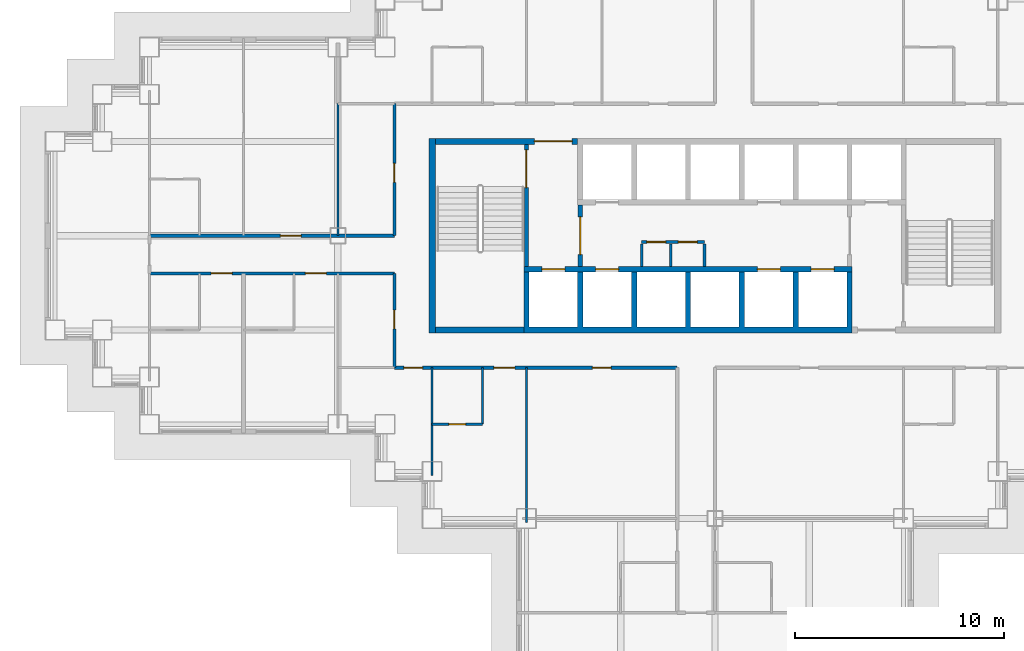
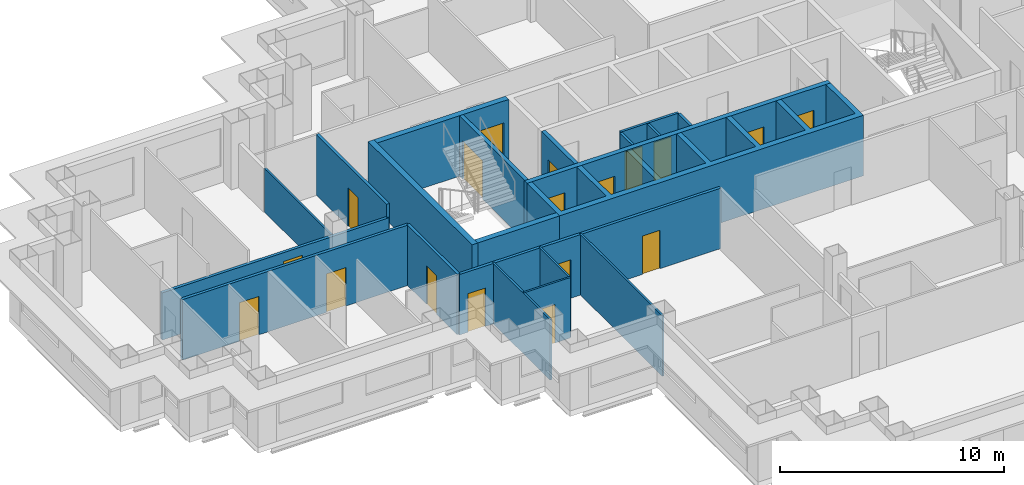
# One storey, part 4 of 15: 21 walls, 18 doors, 18 openings.
"""IFC4 building model written with IfcOpenShell, lengths in metres."""

from ifc_helpers import new_model, si_unit, direction, frame, frame_2d, origin, place, context, subcontext, project, spatial, polyline, rectangle, outline, extrude, material, layer, layer_set, type_object, element, fill, save


model = new_model("IFC4")

# Units and contexts
model_context = context("Model", 3, precision=1e-05, world=origin(), true_north=direction((0.0, 1.0)))
body_context = subcontext(model_context, "Body", "Model", "MODEL_VIEW")
ifc_project = project(units=[si_unit("LENGTHUNIT", "METRE"), si_unit("AREAUNIT", "SQUARE_METRE"), si_unit("VOLUMEUNIT", "CUBIC_METRE"), si_unit("PLANEANGLEUNIT", "RADIAN"), si_unit("MASSUNIT", "GRAM", prefix="KILO")], contexts=[model_context])

# Site, building, storey
site_placement = place(None, origin())
site = spatial("IfcSite", under=ifc_project, at=site_placement, CompositionType="ELEMENT")
building_placement = place(site_placement, origin())
building = spatial("IfcBuilding", under=site, at=building_placement, Name="Caravel Reach Hotel and Residences", CompositionType="ELEMENT")
storey_placement = place(building_placement, frame((0.0, 0.0, 78.0)))
storey = spatial("IfcBuildingStorey", under=building, at=storey_placement, Name="L18", CompositionType="ELEMENT", Elevation=78.0)

# Wall, opening, door
ifc_material_1 = material(Name="Gypsum board on steel stud", Category="steel")
ifc_layer_1 = layer(ifc_material_1, 0.10009765625)
ifc_layer_set_1 = layer_set([ifc_layer_1], Name="Bathroom pod wall 100 mm")
wall_type_1 = type_object("IfcWallType", Name="Bathroom pod wall 100 mm", PredefinedType="PARTITIONING", material=ifc_layer_set_1)
wall_1_placement = place(storey_placement, frame((18.0, 18.0, 0.0), z_axis=(0.0, 0.0, 1.0), x_axis=(1.0, 0.0, 0.0)))
wall_1 = element("IfcWall", 1, at=wall_1_placement, inside=storey, type_object=wall_type_1, Name="L18 wall w084", PredefinedType="PARTITIONING", context=body_context, shape_type="SweptSolid", body=[
    extrude(rectangle(XDim=2.39990234375, YDim=0.10009765625, at=frame_2d((1.199951171875, 0.0))), origin(), (0.0, 0.0, 1.0), 3.300048828125),
])
opening_1_placement = place(wall_1_placement, frame((0.800048828125, 0.0, 0.0)))
opening_1 = element("IfcOpeningElement", 2, at=opening_1_placement, cuts=wall_1, Name="Opening D18-053", PredefinedType="OPENING", context=body_context, shape_type="SweptSolid", body=[
    extrude(rectangle(XDim=0.800048828125, YDim=2.10009765625, at=frame_2d((0.39990234375, 1.050048828125))), frame((0.0, 0.06005859375, 0.0), z_axis=(0.0, -1.0, 0.0), x_axis=(1.0, 0.0, 0.0)), (0.0, 0.0, 1.0), 0.1201171875),
])
ifc_material_2 = material(Name="Timber and steel door leaf", Category="steel")
door_type_1 = type_object("IfcDoorType", Name="Bathroom door 800 x 2100", OperationType="SINGLE_SWING_LEFT", PredefinedType="DOOR", material=ifc_material_2)
door_1_placement = place(opening_1_placement, origin())
door_1 = element("IfcDoor", 3, at=door_1_placement, inside=storey, type_object=door_type_1, Name="door D18-053", OperationType="SINGLE_SWING_RIGHT", OverallHeight=2.10009765625, OverallWidth=0.800048828125, PredefinedType="DOOR", context=body_context, shape_type="SweptSolid", body=[
    extrude(rectangle(XDim=0.800048828125, YDim=2.10009765625, at=frame_2d((0.39990234375, 1.050048828125))), frame((0.0, 0.02490234375, 0.0), z_axis=(0.0, -1.0, 0.0), x_axis=(1.0, 0.0, 0.0)), (0.0, 0.0, 1.0), 0.050048828125),
])
fill(opening_1, door_1)

# Walls
wall_2_placement = place(storey_placement, frame((20.39990234375, 18.0, 0.0), z_axis=(0.0, 0.0, 1.0), x_axis=(0.0, 1.0, 0.0)))
element("IfcWall", 4, at=wall_2_placement, inside=storey, type_object=wall_type_1, Name="L18 wall w103", PredefinedType="PARTITIONING", context=body_context, shape_type="SweptSolid", body=[
    extrude(rectangle(XDim=2.699951171875, YDim=0.10009765625, at=frame_2d((1.35009765625, 0.0))), origin(), (0.0, 0.0, 1.0), 3.300048828125),
])
ifc_material_3 = material(Name="Concrete C60", Category="concrete")
ifc_layer_2 = layer(ifc_material_3, 0.300048828125)
ifc_layer_set_2 = layer_set([ifc_layer_2], Name="Core wall 300 mm EI 120")
wall_type_2 = type_object("IfcWallType", Name="Core wall 300 mm EI 120", PredefinedType="SHEAR", material=ifc_layer_set_2)
wall_3_placement = place(storey_placement, frame((18.14990234375, 22.5, 0.0), z_axis=(0.0, 0.0, 1.0), x_axis=(1.0, 0.0, 0.0)))
element("IfcWall", 5, at=wall_3_placement, inside=storey, type_object=wall_type_2, Name="L18 core wall S1", PredefinedType="SHEAR", context=body_context, shape_type="SweptSolid", body=[
    extrude(rectangle(XDim=4.22509765625, YDim=0.300048828125, at=frame_2d((2.112548828125, 0.0))), origin(), (0.0, 0.0, 1.0), 3.300048828125),
])

# Wall, opening, door
wall_4_placement = place(storey_placement, frame((18.14990234375, 31.5, 0.0), z_axis=(0.0, 0.0, 1.0), x_axis=(1.0, 0.0, 0.0)))
wall_4 = element("IfcWall", 6, at=wall_4_placement, inside=storey, type_object=wall_type_2, Name="L18 core wall N1", PredefinedType="SHEAR", context=body_context, shape_type="SweptSolid", body=[
    extrude(rectangle(XDim=6.796630859375, YDim=0.300048828125, at=frame_2d((3.3984375, 0.0))), origin(), (0.0, 0.0, 1.0), 3.300048828125),
])
opening_2_placement = place(wall_4_placement, frame((4.735595703125, 0.0, 0.0)))
opening_2 = element("IfcOpeningElement", 7, at=opening_2_placement, cuts=wall_4, Name="Opening D18-014", PredefinedType="OPENING", context=body_context, shape_type="SweptSolid", body=[
    extrude(rectangle(XDim=1.800048828125, YDim=2.10009765625, at=frame_2d((0.89990234375, 1.050048828125))), frame((0.0, 0.159912109375, 0.0), z_axis=(0.0, -1.0, 0.0), x_axis=(1.0, 0.0, 0.0)), (0.0, 0.0, 1.0), 0.320068359375),
])
ifc_material_4 = material(Name="Steel fire door leaf", Category="steel")
door_type_2 = type_object("IfcDoorType", Name="Fire lobby door pair 1800 x 2100 EI 90", OperationType="DOUBLE_DOOR_SINGLE_SWING", PredefinedType="DOOR", material=ifc_material_4)
door_2_placement = place(opening_2_placement, origin())
door_2 = element("IfcDoor", 8, at=door_2_placement, inside=storey, type_object=door_type_2, Name="lobby N door pair to corridor", OperationType="DOUBLE_DOOR_SINGLE_SWING", OverallHeight=2.10009765625, OverallWidth=1.800048828125, PredefinedType="DOOR", context=body_context, shape_type="SweptSolid", body=[
    extrude(rectangle(XDim=1.800048828125, YDim=2.10009765625, at=frame_2d((0.89990234375, 1.050048828125))), frame((0.0, 0.02490234375, 0.0), z_axis=(0.0, -1.0, 0.0), x_axis=(1.0, 0.0, 0.0)), (0.0, 0.0, 1.0), 0.050048828125),
])
fill(opening_2, door_2)

# Wall
wall_5_placement = place(storey_placement, frame((18.0, 22.35009765625, 0.0), z_axis=(0.0, 0.0, 1.0), x_axis=(0.0, 1.0, 0.0)))
element("IfcWall", 9, at=wall_5_placement, inside=storey, type_object=wall_type_2, Name="L18 core wall W", PredefinedType="SHEAR", context=body_context, shape_type="SweptSolid", body=[
    extrude(rectangle(XDim=9.2998046875, YDim=0.300048828125, at=frame_2d((4.64990234375, 0.0))), origin(), (0.0, 0.0, 1.0), 3.300048828125),
])

# Wall, openings, doors
ifc_material_5 = material(Name="Gypsum board on steel stud, fire-rated", Category="steel")
ifc_layer_3 = layer(ifc_material_5, 0.14990234375)
ifc_layer_set_3 = layer_set([ifc_layer_3], Name="Corridor wall 150 mm EI 60")
wall_type_3 = type_object("IfcWallType", Name="Corridor wall 150 mm EI 60", PredefinedType="PARTITIONING", material=ifc_layer_set_3)
wall_6_placement = place(storey_placement, frame((16.199951171875, 20.699951171875, 0.0), z_axis=(0.0, 0.0, 1.0), x_axis=(1.0, 0.0, 0.0)))
wall_6 = element("IfcWall", 10, at=wall_6_placement, inside=storey, type_object=wall_type_3, Name="L18 wall w005", PredefinedType="PARTITIONING", context=body_context, shape_type="SweptSolid", body=[
    extrude(rectangle(XDim=13.5, YDim=0.14990234375, at=frame_2d((6.75, 0.0))), origin(), (0.0, 0.0, 1.0), 3.300048828125),
])
opening_3_placement = place(wall_6_placement, frame((4.75, 0.0, 0.0)))
opening_3 = element("IfcOpeningElement", 11, at=opening_3_placement, cuts=wall_6, Name="Opening D18-052", PredefinedType="OPENING", context=body_context, shape_type="SweptSolid", body=[
    extrude(rectangle(XDim=1.0, YDim=2.10009765625, at=frame_2d((0.5, 1.050048828125))), frame((0.0, 0.0849609375, 0.0), z_axis=(0.0, -1.0, 0.0), x_axis=(1.0, 0.0, 0.0)), (0.0, 0.0, 1.0), 0.169921875),
])
opening_4_placement = place(wall_6_placement, frame((0.449951171875, 0.0, 0.0)))
opening_4 = element("IfcOpeningElement", 12, at=opening_4_placement, cuts=wall_6, Name="Opening D18-054", PredefinedType="OPENING", context=body_context, shape_type="SweptSolid", body=[
    extrude(rectangle(XDim=0.89990234375, YDim=2.10009765625, at=frame_2d((0.449951171875, 1.050048828125))), frame((0.0, 0.0849609375, 0.0), z_axis=(0.0, -1.0, 0.0), x_axis=(1.0, 0.0, 0.0)), (0.0, 0.0, 1.0), 0.169921875),
])
opening_5_placement = place(wall_6_placement, frame((9.449951171875, 0.0, 0.0)))
opening_5 = element("IfcOpeningElement", 13, at=opening_5_placement, cuts=wall_6, Name="Opening D18-061", PredefinedType="OPENING", context=body_context, shape_type="SweptSolid", body=[
    extrude(rectangle(XDim=0.89990234375, YDim=2.10009765625, at=frame_2d((0.449951171875, 1.050048828125))), frame((0.0, 0.0849609375, 0.0), z_axis=(0.0, -1.0, 0.0), x_axis=(1.0, 0.0, 0.0)), (0.0, 0.0, 1.0), 0.169921875),
])
ifc_material_6 = material(Name="Timber and steel door leaf", Category="steel")
door_type_3 = type_object("IfcDoorType", Name="Door 900 x 2100 timber", OperationType="SINGLE_SWING_LEFT", PredefinedType="DOOR", material=ifc_material_6)
door_3_placement = place(opening_4_placement, origin())
door_3 = element("IfcDoor", 14, at=door_3_placement, inside=storey, type_object=door_type_3, Name="door D18-054", OperationType="SINGLE_SWING_LEFT", OverallHeight=2.10009765625, OverallWidth=0.89990234375, PredefinedType="DOOR", context=body_context, shape_type="SweptSolid", body=[
    extrude(rectangle(XDim=0.89990234375, YDim=2.10009765625, at=frame_2d((0.449951171875, 1.050048828125))), frame((0.0, 0.02490234375, 0.0), z_axis=(0.0, -1.0, 0.0), x_axis=(1.0, 0.0, 0.0)), (0.0, 0.0, 1.0), 0.050048828125),
])
fill(opening_4, door_3)
door_4_placement = place(opening_5_placement, origin())
door_4 = element("IfcDoor", 15, at=door_4_placement, inside=storey, type_object=door_type_3, Name="door D18-061", OperationType="SINGLE_SWING_RIGHT", OverallHeight=2.10009765625, OverallWidth=0.89990234375, PredefinedType="DOOR", context=body_context, shape_type="SweptSolid", body=[
    extrude(rectangle(XDim=0.89990234375, YDim=2.10009765625, at=frame_2d((0.449951171875, 1.050048828125))), frame((0.0, 0.02490234375, 0.0), z_axis=(0.0, -1.0, 0.0), x_axis=(1.0, 0.0, 0.0)), (0.0, 0.0, 1.0), 0.050048828125),
])
fill(opening_5, door_4)
ifc_material_7 = material(Name="Steel fire door leaf", Category="steel")
door_type_4 = type_object("IfcDoorType", Name="Guest room door 1000 x 2100 EI 30", OperationType="SINGLE_SWING_LEFT", PredefinedType="DOOR", material=ifc_material_7)
door_5_placement = place(opening_3_placement, origin())
door_5 = element("IfcDoor", 16, at=door_5_placement, inside=storey, type_object=door_type_4, Name="door D18-052", OperationType="SINGLE_SWING_RIGHT", OverallHeight=2.10009765625, OverallWidth=1.0, PredefinedType="DOOR", context=body_context, shape_type="SweptSolid", body=[
    extrude(rectangle(XDim=1.0, YDim=2.10009765625, at=frame_2d((0.5, 1.050048828125))), frame((0.0, 0.02490234375, 0.0), z_axis=(0.0, -1.0, 0.0), x_axis=(1.0, 0.0, 0.0)), (0.0, 0.0, 1.0), 0.050048828125),
])
fill(opening_3, door_5)

wall_7_placement = place(storey_placement, frame((4.5, 25.199951171875, 0.0), z_axis=(0.0, 0.0, 1.0), x_axis=(1.0, 0.0, 0.0)))
wall_7 = element("IfcWall", 17, at=wall_7_placement, inside=storey, type_object=wall_type_3, Name="L18 wall w008", PredefinedType="PARTITIONING", context=body_context, shape_type="SweptSolid", body=[
    extrude(rectangle(XDim=11.699951171875, YDim=0.14990234375, at=frame_2d((5.85009765625, 0.0))), origin(), (0.0, 0.0, 1.0), 3.300048828125),
])
opening_6_placement = place(wall_7_placement, frame((7.449951171875, 0.0, 0.0)))
opening_6 = element("IfcOpeningElement", 18, at=opening_6_placement, cuts=wall_7, Name="Opening D18-016", PredefinedType="OPENING", context=body_context, shape_type="SweptSolid", body=[
    extrude(rectangle(XDim=1.0, YDim=2.10009765625, at=frame_2d((0.5, 1.050048828125))), frame((0.0, 0.0849609375, 0.0), z_axis=(0.0, -1.0, 0.0), x_axis=(1.0, 0.0, 0.0)), (0.0, 0.0, 1.0), 0.169921875),
])
opening_7_placement = place(wall_7_placement, frame((2.949951171875, 0.0, 0.0)))
opening_7 = element("IfcOpeningElement", 19, at=opening_7_placement, cuts=wall_7, Name="Opening D18-018", PredefinedType="OPENING", context=body_context, shape_type="SweptSolid", body=[
    extrude(rectangle(XDim=1.0, YDim=2.10009765625, at=frame_2d((0.5, 1.050048828125))), frame((0.0, 0.0849609375, 0.0), z_axis=(0.0, -1.0, 0.0), x_axis=(1.0, 0.0, 0.0)), (0.0, 0.0, 1.0), 0.169921875),
])
door_6_placement = place(opening_6_placement, origin())
door_6 = element("IfcDoor", 20, at=door_6_placement, inside=storey, type_object=door_type_4, Name="door D18-016", OperationType="SINGLE_SWING_RIGHT", OverallHeight=2.10009765625, OverallWidth=1.0, PredefinedType="DOOR", context=body_context, shape_type="SweptSolid", body=[
    extrude(rectangle(XDim=1.0, YDim=2.10009765625, at=frame_2d((0.5, 1.050048828125))), frame((0.0, 0.02490234375, 0.0), z_axis=(0.0, -1.0, 0.0), x_axis=(1.0, 0.0, 0.0)), (0.0, 0.0, 1.0), 0.050048828125),
])
fill(opening_6, door_6)
door_7_placement = place(opening_7_placement, origin())
door_7 = element("IfcDoor", 21, at=door_7_placement, inside=storey, type_object=door_type_4, Name="door D18-018", OperationType="SINGLE_SWING_RIGHT", OverallHeight=2.10009765625, OverallWidth=1.0, PredefinedType="DOOR", context=body_context, shape_type="SweptSolid", body=[
    extrude(rectangle(XDim=1.0, YDim=2.10009765625, at=frame_2d((0.5, 1.050048828125))), frame((0.0, 0.02490234375, 0.0), z_axis=(0.0, -1.0, 0.0), x_axis=(1.0, 0.0, 0.0)), (0.0, 0.0, 1.0), 0.050048828125),
])
fill(opening_7, door_7)

# Wall, opening, door
wall_8_placement = place(storey_placement, frame((4.5, 27.0, 0.0), z_axis=(0.0, 0.0, 1.0), x_axis=(1.0, 0.0, 0.0)))
wall_8 = element("IfcWall", 22, at=wall_8_placement, inside=storey, type_object=wall_type_3, Name="L18 wall w014", PredefinedType="PARTITIONING", context=body_context, shape_type="SweptSolid", body=[
    extrude(rectangle(XDim=11.699951171875, YDim=0.14990234375, at=frame_2d((5.85009765625, 0.0))), origin(), (0.0, 0.0, 1.0), 2.580078125),
])
opening_8_placement = place(wall_8_placement, frame((6.25, 0.0, 0.0)))
opening_8 = element("IfcOpeningElement", 23, at=opening_8_placement, cuts=wall_8, Name="Opening D18-020", PredefinedType="OPENING", context=body_context, shape_type="SweptSolid", body=[
    extrude(rectangle(XDim=1.0, YDim=2.10009765625, at=frame_2d((0.5, 1.050048828125))), frame((0.0, 0.0849609375, 0.0), z_axis=(0.0, -1.0, 0.0), x_axis=(1.0, 0.0, 0.0)), (0.0, 0.0, 1.0), 0.169921875),
])
door_8_placement = place(opening_8_placement, origin())
door_8 = element("IfcDoor", 24, at=door_8_placement, inside=storey, type_object=door_type_4, Name="door D18-020", OperationType="SINGLE_SWING_LEFT", OverallHeight=2.10009765625, OverallWidth=1.0, PredefinedType="DOOR", context=body_context, shape_type="SweptSolid", body=[
    extrude(rectangle(XDim=1.0, YDim=2.10009765625, at=frame_2d((0.5, 1.050048828125))), frame((0.0, 0.02490234375, 0.0), z_axis=(0.0, -1.0, 0.0), x_axis=(1.0, 0.0, 0.0)), (0.0, 0.0, 1.0), 0.050048828125),
])
fill(opening_8, door_8)

wall_9_placement = place(storey_placement, frame((16.199951171875, 27.0, 0.0), z_axis=(0.0, 0.0, 1.0), x_axis=(0.0, 1.0, 0.0)))
wall_9 = element("IfcWall", 25, at=wall_9_placement, inside=storey, type_object=wall_type_3, Name="L18 wall w027", PredefinedType="PARTITIONING", context=body_context, shape_type="SweptSolid", body=[
    extrude(rectangle(XDim=6.300048828125, YDim=0.14990234375, at=frame_2d((3.14990234375, 0.0))), origin(), (0.0, 0.0, 1.0), 3.300048828125),
])
opening_9_placement = place(wall_9_placement, frame((2.550048828125, 0.0, 0.0)))
opening_9 = element("IfcOpeningElement", 26, at=opening_9_placement, cuts=wall_9, Name="Opening D18-064", PredefinedType="OPENING", context=body_context, shape_type="SweptSolid", body=[
    extrude(rectangle(XDim=0.89990234375, YDim=2.10009765625, at=frame_2d((0.449951171875, 1.050048828125))), frame((0.0, 0.0849609375, 0.0), z_axis=(0.0, -1.0, 0.0), x_axis=(1.0, 0.0, 0.0)), (0.0, 0.0, 1.0), 0.169921875),
])
door_9_placement = place(opening_9_placement, origin())
door_9 = element("IfcDoor", 27, at=door_9_placement, inside=storey, type_object=door_type_3, Name="door D18-064", OperationType="SINGLE_SWING_LEFT", OverallHeight=2.10009765625, OverallWidth=0.89990234375, PredefinedType="DOOR", context=body_context, shape_type="SweptSolid", body=[
    extrude(rectangle(XDim=0.89990234375, YDim=2.10009765625, at=frame_2d((0.449951171875, 1.050048828125))), frame((0.0, 0.02490234375, 0.0), z_axis=(0.0, -1.0, 0.0), x_axis=(1.0, 0.0, 0.0)), (0.0, 0.0, 1.0), 0.050048828125),
])
fill(opening_9, door_9)

wall_10_placement = place(storey_placement, frame((16.199951171875, 20.699951171875, 0.0), z_axis=(0.0, 0.0, 1.0), x_axis=(0.0, 1.0, 0.0)))
wall_10 = element("IfcWall", 28, at=wall_10_placement, inside=storey, type_object=wall_type_3, Name="L18 wall w028", PredefinedType="PARTITIONING", context=body_context, shape_type="SweptSolid", body=[
    extrude(rectangle(XDim=4.5, YDim=0.14990234375, at=frame_2d((2.25, 0.0))), origin(), (0.0, 0.0, 1.0), 3.300048828125),
])
opening_10_placement = place(wall_10_placement, frame((1.85009765625, 0.0, 0.0)))
opening_10 = element("IfcOpeningElement", 29, at=opening_10_placement, cuts=wall_10, Name="Opening D18-063", PredefinedType="OPENING", context=body_context, shape_type="SweptSolid", body=[
    extrude(rectangle(XDim=0.89990234375, YDim=2.10009765625, at=frame_2d((0.449951171875, 1.050048828125))), frame((0.0, 0.0849609375, 0.0), z_axis=(0.0, -1.0, 0.0), x_axis=(1.0, 0.0, 0.0)), (0.0, 0.0, 1.0), 0.169921875),
])
door_10_placement = place(opening_10_placement, origin())
door_10 = element("IfcDoor", 30, at=door_10_placement, inside=storey, type_object=door_type_3, Name="door D18-063", OperationType="SINGLE_SWING_LEFT", OverallHeight=2.10009765625, OverallWidth=0.89990234375, PredefinedType="DOOR", context=body_context, shape_type="SweptSolid", body=[
    extrude(rectangle(XDim=0.89990234375, YDim=2.10009765625, at=frame_2d((0.449951171875, 1.050048828125))), frame((0.0, 0.02490234375, 0.0), z_axis=(0.0, -1.0, 0.0), x_axis=(1.0, 0.0, 0.0)), (0.0, 0.0, 1.0), 0.050048828125),
])
fill(opening_10, door_10)

ifc_material_8 = material(Name="Autoclaved aerated block wall")
ifc_layer_4 = layer(ifc_material_8, 0.199951171875)
ifc_layer_set_4 = layer_set([ifc_layer_4], Name="Fire lobby wall 200 mm EI 120")
wall_type_4 = type_object("IfcWallType", Name="Fire lobby wall 200 mm EI 120", PredefinedType="PARTITIONING", material=ifc_layer_set_4)
wall_11_placement = place(storey_placement, frame((25.071533203125, 25.52490234375, 0.0), z_axis=(0.0, 0.0, 1.0), x_axis=(0.0, 1.0, 0.0)))
wall_11 = element("IfcWall", 31, at=wall_11_placement, inside=storey, type_object=wall_type_4, Name="L18 lobby W wall", PredefinedType="PARTITIONING", context=body_context, shape_type="SweptSolid", body=[
    extrude(rectangle(XDim=2.9501953125, YDim=0.199951171875, at=frame_2d((1.47509765625, 0.0))), origin(), (0.0, 0.0, 1.0), 3.300048828125),
])
opening_11_placement = place(wall_11_placement, frame((0.574951171875, 0.0, 0.0)))
opening_11 = element("IfcOpeningElement", 32, at=opening_11_placement, cuts=wall_11, Name="Opening D18-012", PredefinedType="OPENING", context=body_context, shape_type="SweptSolid", body=[
    extrude(rectangle(XDim=1.800048828125, YDim=2.10009765625, at=frame_2d((0.89990234375, 1.050048828125))), frame((0.0, 0.10986328125, 0.0), z_axis=(0.0, -1.0, 0.0), x_axis=(1.0, 0.0, 0.0)), (0.0, 0.0, 1.0), 0.219970703125),
])
door_11_placement = place(opening_11_placement, origin())
door_11 = element("IfcDoor", 33, at=door_11_placement, inside=storey, type_object=door_type_2, Name="lobby W door pair", OperationType="DOUBLE_DOOR_SINGLE_SWING", OverallHeight=2.10009765625, OverallWidth=1.800048828125, PredefinedType="DOOR", context=body_context, shape_type="SweptSolid", body=[
    extrude(rectangle(XDim=1.800048828125, YDim=2.10009765625, at=frame_2d((0.89990234375, 1.050048828125))), frame((0.0, 0.02490234375, 0.0), z_axis=(0.0, -1.0, 0.0), x_axis=(1.0, 0.0, 0.0)), (0.0, 0.0, 1.0), 0.050048828125),
])
fill(opening_11, door_11)

# Walls
ifc_material_9 = material(Name="Gypsum board on steel stud", Category="steel")
ifc_layer_5 = layer(ifc_material_9, 0.10009765625)
ifc_layer_set_5 = layer_set([ifc_layer_5], Name="Partition 100 mm")
wall_type_5 = type_object("IfcWallType", Name="Partition 100 mm", PredefinedType="PARTITIONING", material=ifc_layer_set_5)
wall_12_placement = place(storey_placement, frame((13.5, 27.0, 0.0), z_axis=(0.0, 0.0, 1.0), x_axis=(0.0, 1.0, 0.0)))
element("IfcWall", 34, at=wall_12_placement, inside=storey, type_object=wall_type_5, Name="L18 wall w059", PredefinedType="PARTITIONING", context=body_context, shape_type="SweptSolid", body=[
    extrude(rectangle(XDim=6.300048828125, YDim=0.10009765625, at=frame_2d((3.14990234375, 0.0))), origin(), (0.0, 0.0, 1.0), 2.3798828125),
])
wall_13_placement = place(storey_placement, frame((18.0, 15.56005859375, 0.0), z_axis=(0.0, 0.0, 1.0), x_axis=(0.0, 1.0, 0.0)))
element("IfcWall", 35, at=wall_13_placement, inside=storey, type_object=wall_type_5, Name="L18 wall w060", PredefinedType="PARTITIONING", context=body_context, shape_type="SweptSolid", body=[
    extrude(rectangle(XDim=5.139892578125, YDim=0.10009765625, at=frame_2d((2.56982421875, 0.0))), origin(), (0.0, 0.0, 1.0), 3.300048828125),
])
wall_14_placement = place(storey_placement, frame((22.5, 13.31005859375, 0.0), z_axis=(0.0, 0.0, 1.0), x_axis=(0.0, 1.0, 0.0)))
element("IfcWall", 36, at=wall_14_placement, inside=storey, type_object=wall_type_5, Name="L18 wall w062", PredefinedType="PARTITIONING", context=body_context, shape_type="SweptSolid", body=[
    extrude(rectangle(XDim=7.389892578125, YDim=0.10009765625, at=frame_2d((3.69482421875, 0.0))), origin(), (0.0, 0.0, 1.0), 3.300048828125),
])

# Wall, openings, doors
ifc_material_10 = material(Name="Autoclaved aerated block wall")
ifc_layer_6 = layer(ifc_material_10, 0.125)
ifc_layer_set_6 = layer_set([ifc_layer_6], Name="Riser wall 125 mm EI 60")
wall_type_6 = type_object("IfcWallType", Name="Riser wall 125 mm EI 60", PredefinedType="PARTITIONING", material=ifc_layer_set_6)
wall_15_placement = place(storey_placement, frame((28.0, 26.699951171875, 0.0), z_axis=(0.0, 0.0, 1.0), x_axis=(1.0, 0.0, 0.0)))
wall_15 = element("IfcWall", 37, at=wall_15_placement, inside=storey, type_object=wall_type_6, Name="L18 service room wall S1", PredefinedType="PARTITIONING", context=body_context, shape_type="SweptSolid", body=[
    extrude(rectangle(XDim=3.0, YDim=0.125, at=frame_2d((1.5, 0.0))), origin(), (0.0, 0.0, 1.0), 3.300048828125),
])
opening_12_placement = place(wall_15_placement, frame((0.25, 0.0, 0.0)))
opening_12 = element("IfcOpeningElement", 38, at=opening_12_placement, cuts=wall_15, Name="Opening D18-008", PredefinedType="OPENING", context=body_context, shape_type="SweptSolid", body=[
    extrude(rectangle(XDim=0.89990234375, YDim=2.10009765625, at=frame_2d((0.449951171875, 1.050048828125))), frame((0.0, 0.072509765625, 0.0), z_axis=(0.0, -1.0, 0.0), x_axis=(1.0, 0.0, 0.0)), (0.0, 0.0, 1.0), 0.14501953125),
])
opening_13_placement = place(wall_15_placement, frame((1.75, 0.0, 0.0)))
opening_13 = element("IfcOpeningElement", 39, at=opening_13_placement, cuts=wall_15, Name="Opening D18-009", PredefinedType="OPENING", context=body_context, shape_type="SweptSolid", body=[
    extrude(rectangle(XDim=0.89990234375, YDim=2.10009765625, at=frame_2d((0.449951171875, 1.050048828125))), frame((0.0, 0.072509765625, 0.0), z_axis=(0.0, -1.0, 0.0), x_axis=(1.0, 0.0, 0.0)), (0.0, 0.0, 1.0), 0.14501953125),
])
ifc_material_11 = material(Name="Steel fire door leaf", Category="steel")
door_type_5 = type_object("IfcDoorType", Name="Riser door 900 x 2100 EI 60", OperationType="SINGLE_SWING_LEFT", PredefinedType="DOOR", material=ifc_material_11)
door_12_placement = place(opening_12_placement, origin())
door_12 = element("IfcDoor", 40, at=door_12_placement, inside=storey, type_object=door_type_5, Name="Cleaners' room door", OperationType="SINGLE_SWING_LEFT", OverallHeight=2.10009765625, OverallWidth=0.89990234375, PredefinedType="DOOR", context=body_context, shape_type="SweptSolid", body=[
    extrude(rectangle(XDim=0.89990234375, YDim=2.10009765625, at=frame_2d((0.449951171875, 1.050048828125))), frame((0.0, 0.02490234375, 0.0), z_axis=(0.0, -1.0, 0.0), x_axis=(1.0, 0.0, 0.0)), (0.0, 0.0, 1.0), 0.050048828125),
])
fill(opening_12, door_12)
door_13_placement = place(opening_13_placement, origin())
door_13 = element("IfcDoor", 41, at=door_13_placement, inside=storey, type_object=door_type_5, Name="Linen store door", OperationType="SINGLE_SWING_LEFT", OverallHeight=2.10009765625, OverallWidth=0.89990234375, PredefinedType="DOOR", context=body_context, shape_type="SweptSolid", body=[
    extrude(rectangle(XDim=0.89990234375, YDim=2.10009765625, at=frame_2d((0.449951171875, 1.050048828125))), frame((0.0, 0.02490234375, 0.0), z_axis=(0.0, -1.0, 0.0), x_axis=(1.0, 0.0, 0.0)), (0.0, 0.0, 1.0), 0.050048828125),
])
fill(opening_13, door_13)

# Walls
for number, where, z_axis, x_axis, name in (
    (42, (28.0, 25.52490234375, 0.0), (0.0, 0.0, 1.0), (0.0, 1.0, 0.0), "L18 service room partition S1"),
    (43, (29.39990234375, 25.52490234375, 0.0), (0.0, 0.0, 1.0), (0.0, 1.0, 0.0), "L18 service room partition S1"),
    (44, (31.0, 25.52490234375, 0.0), (0.0, 0.0, 1.0), (0.0, 1.0, 0.0), "L18 service room partition S1"),
):
    element("IfcWall", number, at=place(storey_placement, frame(where, z_axis=z_axis, x_axis=x_axis)), inside=storey, type_object=wall_type_6, Name=name, PredefinedType="PARTITIONING", context=body_context, shape_type="SweptSolid", body=[
        extrude(rectangle(XDim=1.0751953125, YDim=0.125, at=frame_2d((0.53759765625, 0.0))), origin(), (0.0, 0.0, 1.0), 3.300048828125),
    ])
ifc_material_12 = material(Name="Concrete C60", Category="concrete")
ifc_layer_7 = layer(ifc_material_12, 0.25)
ifc_layer_set_7 = layer_set([ifc_layer_7], Name="Shaft wall 250 mm EI 120")
wall_type_7 = type_object("IfcWallType", Name="Shaft wall 250 mm EI 120", PredefinedType="SHEAR", material=ifc_layer_set_7)
wall_16_placement = place(storey_placement, origin())
element("IfcWall", 45, at=wall_16_placement, inside=storey, type_object=wall_type_7, Name="L18 lift shaft wall S1", PredefinedType="SHEAR", context=body_context, shape_type="SweptSolid", body=[
    extrude(outline(polyline([(22.375, 22.35009765625), (38.053466796875, 22.35009765625), (38.053466796875, 25.27490234375), (37.803466796875, 25.27490234375), (37.803466796875, 22.64990234375), (35.482177734375, 22.64990234375), (35.482177734375, 25.27490234375), (35.232177734375, 25.27490234375), (35.232177734375, 22.64990234375), (32.91064453125, 22.64990234375), (32.91064453125, 25.27490234375), (32.66064453125, 25.27490234375), (32.66064453125, 22.64990234375), (30.33935546875, 22.64990234375), (30.33935546875, 25.27490234375), (30.08935546875, 25.27490234375), (30.08935546875, 22.64990234375), (27.767822265625, 22.64990234375), (27.767822265625, 25.27490234375), (27.517822265625, 25.27490234375), (27.517822265625, 22.64990234375), (25.196533203125, 22.64990234375), (25.196533203125, 25.27490234375), (24.946533203125, 25.27490234375), (24.946533203125, 22.64990234375), (22.625, 22.64990234375), (22.625, 25.27490234375), (22.375, 25.27490234375), (22.375, 22.35009765625)])), origin(), (0.0, 0.0, 1.0), 3.300048828125),
])

# Wall, openings, doors
wall_17_placement = place(storey_placement, frame((22.375, 25.39990234375, 0.0), z_axis=(0.0, 0.0, 1.0), x_axis=(1.0, 0.0, 0.0)))
wall_17 = element("IfcWall", 46, at=wall_17_placement, inside=storey, type_object=wall_type_7, Name="L18 lobby wall S1", PredefinedType="SHEAR", context=body_context, shape_type="SweptSolid", body=[
    extrude(rectangle(XDim=15.678466796875, YDim=0.25, at=frame_2d((7.83935546875, 0.0))), origin(), (0.0, 0.0, 1.0), 3.300048828125),
])
opening_14_placement = place(wall_17_placement, frame((3.43212890625, 0.0, 0.0)))
opening_14 = element("IfcOpeningElement", 47, at=opening_14_placement, cuts=wall_17, Name="Opening D18-001", PredefinedType="OPENING", context=body_context, shape_type="SweptSolid", body=[
    extrude(rectangle(XDim=1.10009765625, YDim=2.10009765625, at=frame_2d((0.550048828125, 1.050048828125))), frame((0.0, 0.135009765625, 0.0), z_axis=(0.0, -1.0, 0.0), x_axis=(1.0, 0.0, 0.0)), (0.0, 0.0, 1.0), 0.27001953125),
])
opening_15_placement = place(wall_17_placement, frame((11.146484375, 0.0, 0.0)))
opening_15 = element("IfcOpeningElement", 48, at=opening_15_placement, cuts=wall_17, Name="Opening D18-002", PredefinedType="OPENING", context=body_context, shape_type="SweptSolid", body=[
    extrude(rectangle(XDim=1.10009765625, YDim=2.10009765625, at=frame_2d((0.550048828125, 1.050048828125))), frame((0.0, 0.135009765625, 0.0), z_axis=(0.0, -1.0, 0.0), x_axis=(1.0, 0.0, 0.0)), (0.0, 0.0, 1.0), 0.27001953125),
])
opening_16_placement = place(wall_17_placement, frame((13.718017578125, 0.0, 0.0)))
opening_16 = element("IfcOpeningElement", 49, at=opening_16_placement, cuts=wall_17, Name="Opening D18-003", PredefinedType="OPENING", context=body_context, shape_type="SweptSolid", body=[
    extrude(rectangle(XDim=1.10009765625, YDim=2.10009765625, at=frame_2d((0.550048828125, 1.050048828125))), frame((0.0, 0.135009765625, 0.0), z_axis=(0.0, -1.0, 0.0), x_axis=(1.0, 0.0, 0.0)), (0.0, 0.0, 1.0), 0.27001953125),
])
opening_17_placement = place(wall_17_placement, frame((0.860595703125, 0.0, 0.0)))
opening_17 = element("IfcOpeningElement", 50, at=opening_17_placement, cuts=wall_17, Name="Opening D18-006", PredefinedType="OPENING", context=body_context, shape_type="SweptSolid", body=[
    extrude(rectangle(XDim=1.10009765625, YDim=2.10009765625, at=frame_2d((0.550048828125, 1.050048828125))), frame((0.0, 0.135009765625, 0.0), z_axis=(0.0, -1.0, 0.0), x_axis=(1.0, 0.0, 0.0)), (0.0, 0.0, 1.0), 0.27001953125),
])
ifc_material_13 = material(Name="Stainless steel landing door", Category="steel")
door_type_6 = type_object("IfcDoorType", Name="Landing door LD 1100 x 2100 sliding", OperationType="DOUBLE_DOOR_SLIDING", PredefinedType="DOOR", material=ifc_material_13)
door_14_placement = place(opening_14_placement, origin())
door_14 = element("IfcDoor", 51, at=door_14_placement, inside=storey, type_object=door_type_6, Name="LP1 landing door", OperationType="DOUBLE_DOOR_SLIDING", OverallHeight=2.10009765625, OverallWidth=1.10009765625, PredefinedType="DOOR", context=body_context, shape_type="SweptSolid", body=[
    extrude(rectangle(XDim=1.10009765625, YDim=2.10009765625, at=frame_2d((0.550048828125, 1.050048828125))), frame((0.0, 0.02490234375, 0.0), z_axis=(0.0, -1.0, 0.0), x_axis=(1.0, 0.0, 0.0)), (0.0, 0.0, 1.0), 0.050048828125),
])
fill(opening_14, door_14)
door_15_placement = place(opening_15_placement, origin())
door_15 = element("IfcDoor", 52, at=door_15_placement, inside=storey, type_object=door_type_6, Name="LP2 landing door", OperationType="DOUBLE_DOOR_SLIDING", OverallHeight=2.10009765625, OverallWidth=1.10009765625, PredefinedType="DOOR", context=body_context, shape_type="SweptSolid", body=[
    extrude(rectangle(XDim=1.10009765625, YDim=2.10009765625, at=frame_2d((0.550048828125, 1.050048828125))), frame((0.0, 0.02490234375, 0.0), z_axis=(0.0, -1.0, 0.0), x_axis=(1.0, 0.0, 0.0)), (0.0, 0.0, 1.0), 0.050048828125),
])
fill(opening_15, door_15)
door_16_placement = place(opening_16_placement, origin())
door_16 = element("IfcDoor", 53, at=door_16_placement, inside=storey, type_object=door_type_6, Name="LP3 landing door", OperationType="DOUBLE_DOOR_SLIDING", OverallHeight=2.10009765625, OverallWidth=1.10009765625, PredefinedType="DOOR", context=body_context, shape_type="SweptSolid", body=[
    extrude(rectangle(XDim=1.10009765625, YDim=2.10009765625, at=frame_2d((0.550048828125, 1.050048828125))), frame((0.0, 0.02490234375, 0.0), z_axis=(0.0, -1.0, 0.0), x_axis=(1.0, 0.0, 0.0)), (0.0, 0.0, 1.0), 0.050048828125),
])
fill(opening_16, door_16)
door_17_placement = place(opening_17_placement, origin())
door_17 = element("IfcDoor", 54, at=door_17_placement, inside=storey, type_object=door_type_6, Name="FL1 landing door", OperationType="DOUBLE_DOOR_SLIDING", OverallHeight=2.10009765625, OverallWidth=1.10009765625, PredefinedType="DOOR", context=body_context, shape_type="SweptSolid", body=[
    extrude(rectangle(XDim=1.10009765625, YDim=2.10009765625, at=frame_2d((0.550048828125, 1.050048828125))), frame((0.0, 0.02490234375, 0.0), z_axis=(0.0, -1.0, 0.0), x_axis=(1.0, 0.0, 0.0)), (0.0, 0.0, 1.0), 0.050048828125),
])
fill(opening_17, door_17)

# Wall, opening, door
ifc_material_14 = material(Name="Concrete C60", Category="concrete")
ifc_layer_8 = layer(ifc_material_14, 0.199951171875)
ifc_layer_set_8 = layer_set([ifc_layer_8], Name="Stair enclosure wall 200 mm EI 120")
wall_type_8 = type_object("IfcWallType", Name="Stair enclosure wall 200 mm EI 120", PredefinedType="SHEAR", material=ifc_layer_set_8)
wall_18_placement = place(storey_placement, frame((22.5, 31.35009765625, 0.0), z_axis=(0.0, 0.0, 1.0), x_axis=(0.0, -1.0, 0.0)))
wall_18 = element("IfcWall", 55, at=wall_18_placement, inside=storey, type_object=wall_type_8, Name="L18 stair A wall", PredefinedType="SHEAR", context=body_context, shape_type="SweptSolid", body=[
    extrude(rectangle(XDim=5.8251953125, YDim=0.199951171875, at=frame_2d((2.91259765625, 0.0))), origin(), (0.0, 0.0, 1.0), 3.300048828125),
])
opening_18_placement = place(wall_18_placement, frame((0.25, 0.0, 0.0)))
opening_18 = element("IfcOpeningElement", 56, at=opening_18_placement, cuts=wall_18, Name="Opening D18-010", PredefinedType="OPENING", context=body_context, shape_type="SweptSolid", body=[
    extrude(rectangle(XDim=1.800048828125, YDim=2.10009765625, at=frame_2d((0.89990234375, 1.050048828125))), frame((0.0, 0.10986328125, 0.0), z_axis=(0.0, -1.0, 0.0), x_axis=(1.0, 0.0, 0.0)), (0.0, 0.0, 1.0), 0.219970703125),
])
ifc_material_15 = material(Name="Steel fire door leaf", Category="steel")
door_type_7 = type_object("IfcDoorType", Name="Stair door pair 1800 x 2100 EI 90", OperationType="DOUBLE_DOOR_SINGLE_SWING", PredefinedType="DOOR", material=ifc_material_15)
door_18_placement = place(opening_18_placement, origin())
door_18 = element("IfcDoor", 57, at=door_18_placement, inside=storey, type_object=door_type_7, Name="stair A door pair", OperationType="DOUBLE_DOOR_SINGLE_SWING", OverallHeight=2.10009765625, OverallWidth=1.800048828125, PredefinedType="DOOR", context=body_context, shape_type="SweptSolid", body=[
    extrude(rectangle(XDim=1.800048828125, YDim=2.10009765625, at=frame_2d((0.89990234375, 1.050048828125))), frame((0.0, 0.02490234375, 0.0), z_axis=(0.0, -1.0, 0.0), x_axis=(1.0, 0.0, 0.0)), (0.0, 0.0, 1.0), 0.050048828125),
])
fill(opening_18, door_18)

save(model, "model.ifc")
